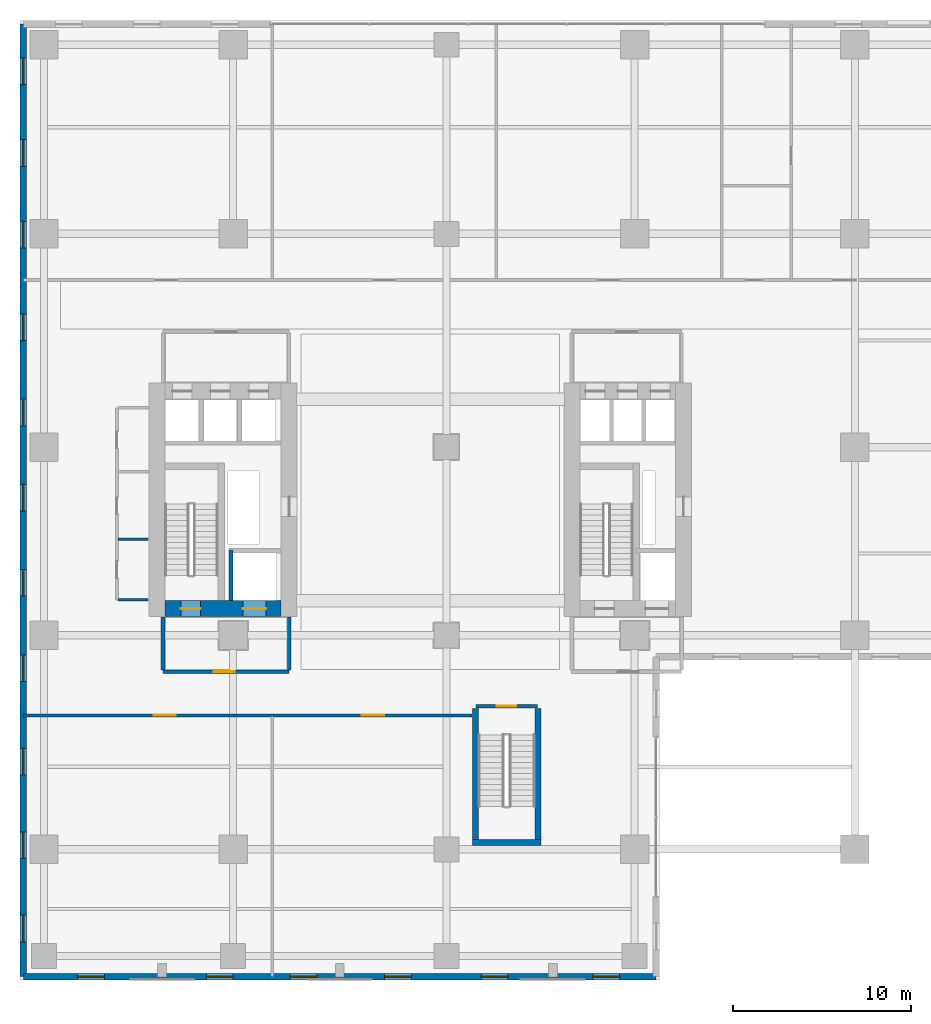
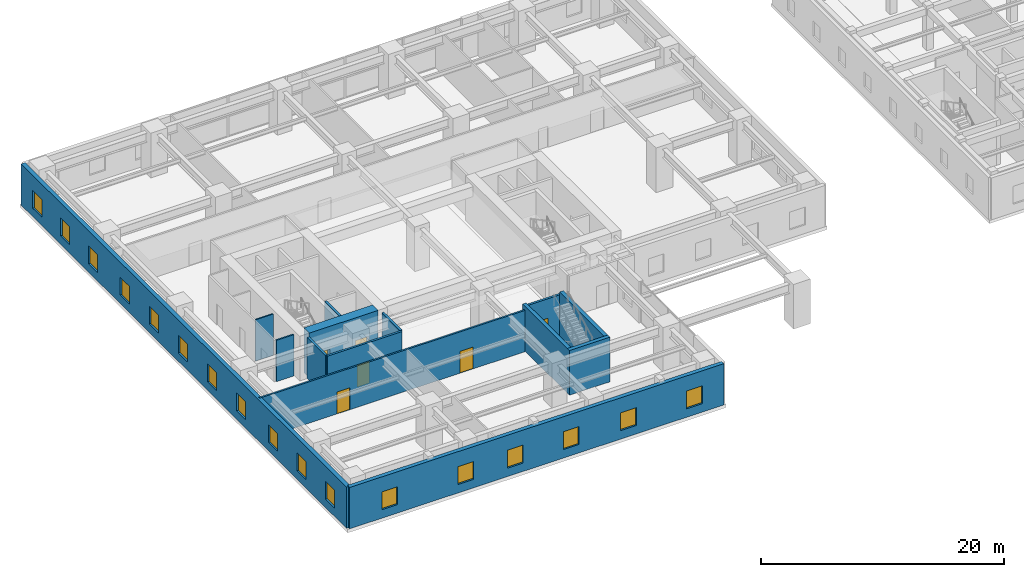
# One storey, part 18 of 28: 17 windows, 14 walls, 6 doors, 23 openings.
"""IFC4 building model written with IfcOpenShell, lengths in metres."""

from ifc_helpers import new_model, si_unit, direction, frame, frame_2d, origin, place, context, subcontext, project, spatial, rectangle, extrude, source, transform, mapped, material, layer, layer_set, type_object, element, fill, save


model = new_model("IFC4")

# Units and contexts
model_context = context("Model", 3, precision=1e-05, world=origin(), true_north=direction((0.0, 1.0)))
body_context = subcontext(model_context, "Body", "Model", "MODEL_VIEW")
ifc_project = project(units=[si_unit("LENGTHUNIT", "METRE"), si_unit("AREAUNIT", "SQUARE_METRE"), si_unit("VOLUMEUNIT", "CUBIC_METRE"), si_unit("PLANEANGLEUNIT", "RADIAN"), si_unit("MASSUNIT", "GRAM", prefix="KILO")], contexts=[model_context])

# Site, building, storey
site_placement = place(None, origin())
site = spatial("IfcSite", under=ifc_project, at=site_placement, CompositionType="ELEMENT")
building_placement = place(site_placement, origin())
building = spatial("IfcBuilding", under=site, at=building_placement, Name="Khoralis Quay Care Tower", CompositionType="ELEMENT")
storey_placement = place(building_placement, frame((0.0, 0.0, 9.0)))
storey = spatial("IfcBuildingStorey", under=building, at=storey_placement, Name="L02", CompositionType="ELEMENT", Elevation=9.0)

# Wall, opening, door
ifc_material_1 = material(Name="Gypsum plasterboard on acoustic metal stud")
ifc_layer_1 = layer(ifc_material_1, 0.199951171875)
ifc_layer_set_1 = layer_set([ifc_layer_1], Name="Gypsum plasterboard on acoustic metal stud")
wall_type_1 = type_object("IfcWallType", Name="WL-COMP-200", PredefinedType="PARTITIONING", material=ifc_layer_set_1)
wall_1_placement = place(storey_placement, frame((8.050048828125, 11.35009765625, 0.0), z_axis=(0.0, 0.0, 1.0), x_axis=(1.0, 0.0, 0.0)))
wall_1 = element("IfcWall", 1, at=wall_1_placement, inside=storey, type_object=wall_type_1, Name="L02 West Firefighting Lobby South Wall", PredefinedType="PARTITIONING", context=body_context, shape_type="SweptSolid", body=[
    extrude(rectangle(XDim=7.099853515625, YDim=0.199951171875, at=frame_2d((3.5498046875, 0.0))), origin(), (0.0, 0.0, 1.0), 4.159912109375),
])
opening_1_placement = place(wall_1_placement, frame((2.846435546875, 0.0, 0.0)))
opening_1 = element("IfcOpeningElement", 2, at=opening_1_placement, cuts=wall_1, Name="Opening FD1", PredefinedType="OPENING", context=body_context, shape_type="SweptSolid", body=[
    extrude(rectangle(XDim=1.199951171875, YDim=2.199951171875, at=frame_2d((0.60009765625, 1.10009765625))), frame((0.0, 0.10986328125, 0.0), z_axis=(0.0, -1.0, 0.0), x_axis=(1.0, 0.0, 0.0)), (0.0, 0.0, 1.0), 0.219970703125),
])
ifc_material_2 = material(Name="Fire-rated painted steel", Category="steel")
door_type_1 = type_object("IfcDoorType", Name="DR-FFL-1200X2200", OperationType="NOTDEFINED", PredefinedType="DOOR", material=ifc_material_2)
shared_shape_1 = source(origin(), body_context, "Body", "SweptSolid", [
    extrude(rectangle(XDim=1.199951171875, YDim=2.199951171875, at=frame_2d((0.60009765625, 1.10009765625))), frame((0.0, 0.02490234375, 0.0), z_axis=(0.0, -1.0, 0.0), x_axis=(1.0, 0.0, 0.0)), (0.0, 0.0, 1.0), 0.050048828125),
])
door_1_placement = place(opening_1_placement, origin())
door_1 = element("IfcDoor", 3, at=door_1_placement, inside=storey, type_object=door_type_1, Name="L02 West Firefighting Lobby Fire Door", OperationType="SINGLE_SWING_RIGHT", OverallHeight=2.199951171875, OverallWidth=1.199951171875, PredefinedType="DOOR", context=body_context, shape_type="MappedRepresentation", body=[
    mapped(shared_shape_1, transform((0.0, 0.0, 0.0), scale=1.0)),
])
fill(opening_1, door_1)

# Walls
for number, where, z_axis, x_axis, name in (
    (4, (8.050048828125, 11.445068359375, 0.0), (0.0, 0.0, 1.0), (0.0, 1.0, 0.0), "L02 West Firefighting Lobby West Wall"),
    (5, (15.14990234375, 11.445068359375, 0.0), (0.0, 0.0, 1.0), (0.0, 1.0, 0.0), "L02 West Firefighting Lobby East Wall"),
):
    element("IfcWall", number, at=place(storey_placement, frame(where, z_axis=z_axis, x_axis=x_axis)), inside=storey, type_object=wall_type_1, Name=name, PredefinedType="PARTITIONING", context=body_context, shape_type="SweptSolid", body=[
        extrude(rectangle(XDim=2.98486328125, YDim=0.199951171875, at=frame_2d((1.492431640625, 0.0))), origin(), (0.0, 0.0, 1.0), 4.159912109375),
    ])

# Wall, opening, door
wall_2_placement = place(storey_placement, frame((25.679931640625, 9.419921875, 0.0), z_axis=(0.0, 0.0, 1.0), x_axis=(1.0, 0.0, 0.0)))
wall_2 = element("IfcWall", 6, at=wall_2_placement, inside=storey, type_object=wall_type_1, Name="L02 Podium Stair ST-P1 North Wall", PredefinedType="PARTITIONING", context=body_context, shape_type="SweptSolid", body=[
    extrude(rectangle(XDim=3.440185546875, YDim=0.199951171875, at=frame_2d((1.72021484375, 0.0))), origin(), (0.0, 0.0, 1.0), 4.159912109375),
])
opening_2_placement = place(wall_2_placement, frame((1.14990234375, 0.0, 0.0)))
opening_2 = element("IfcOpeningElement", 7, at=opening_2_placement, cuts=wall_2, Name="Opening SD1", PredefinedType="OPENING", context=body_context, shape_type="SweptSolid", body=[
    extrude(rectangle(XDim=1.10009765625, YDim=2.199951171875, at=frame_2d((0.550048828125, 1.10009765625))), frame((0.0, 0.10986328125, 0.0), z_axis=(0.0, -1.0, 0.0), x_axis=(1.0, 0.0, 0.0)), (0.0, 0.0, 1.0), 0.219970703125),
])
door_type_2 = type_object("IfcDoorType", Name="DR-STAIR-1100X2200", OperationType="NOTDEFINED", PredefinedType="DOOR", material=ifc_material_2)
shared_shape_2 = source(origin(), body_context, "Body", "SweptSolid", [
    extrude(rectangle(XDim=1.10009765625, YDim=2.199951171875, at=frame_2d((0.550048828125, 1.10009765625))), frame((0.0, 0.02490234375, 0.0), z_axis=(0.0, -1.0, 0.0), x_axis=(1.0, 0.0, 0.0)), (0.0, 0.0, 1.0), 0.050048828125),
])
door_2_placement = place(opening_2_placement, frame((1.10009765625, 0.0, 0.0), z_axis=(0.0, 0.0, 1.0), x_axis=(-1.0, 0.0, 0.0)))
door_2 = element("IfcDoor", 8, at=door_2_placement, inside=storey, type_object=door_type_2, Name="L02 Stair ST-P1 Fire Door", OperationType="SINGLE_SWING_LEFT", OverallHeight=2.199951171875, OverallWidth=1.10009765625, PredefinedType="DOOR", context=body_context, shape_type="MappedRepresentation", body=[
    mapped(shared_shape_2, transform((0.0, 0.0, 0.0), scale=1.0)),
])
fill(opening_2, door_2)

# Wall, openings, doors
ifc_material_3 = material(Name="Concrete C80/95", Category="concrete")
ifc_layer_2 = layer(ifc_material_3, 0.89990234375)
ifc_layer_set_2 = layer_set([ifc_layer_2], Name="Concrete C80/95")
wall_type_2 = type_object("IfcWallType", Name="WL-CORE-900", PredefinedType="SHEAR", material=ifc_layer_set_2)
wall_3_placement = place(storey_placement, frame((8.14990234375, 14.89990234375, 0.0), z_axis=(0.0, 0.0, 1.0), x_axis=(1.0, 0.0, 0.0)))
wall_3 = element("IfcWall", 9, at=wall_3_placement, inside=storey, type_object=wall_type_2, Name="L02 WCORE South Shear Wall", PredefinedType="SHEAR", context=body_context, shape_type="SweptSolid", body=[
    extrude(rectangle(XDim=6.550048828125, YDim=0.89990234375, at=frame_2d((3.27490234375, 0.0))), origin(), (0.0, 0.0, 1.0), 4.5),
])
opening_3_placement = place(wall_3_placement, frame((0.89990234375, 0.0, 0.0)))
opening_3 = element("IfcOpeningElement", 10, at=opening_3_placement, cuts=wall_3, Name="Opening SD1", PredefinedType="OPENING", context=body_context, shape_type="SweptSolid", body=[
    extrude(rectangle(XDim=1.10009765625, YDim=2.199951171875, at=frame_2d((0.550048828125, 1.10009765625))), frame((0.0, 0.4599609375, 0.0), z_axis=(0.0, -1.0, 0.0), x_axis=(1.0, 0.0, 0.0)), (0.0, 0.0, 1.0), 0.919921875),
])
opening_4_placement = place(wall_3_placement, frame((4.39990234375, 0.0, 0.0)))
opening_4 = element("IfcOpeningElement", 11, at=opening_4_placement, cuts=wall_3, Name="Opening LD2", PredefinedType="OPENING", context=body_context, shape_type="SweptSolid", body=[
    extrude(rectangle(XDim=1.300048828125, YDim=2.199951171875, at=frame_2d((0.64990234375, 1.10009765625))), frame((0.0, 0.4599609375, 0.0), z_axis=(0.0, -1.0, 0.0), x_axis=(1.0, 0.0, 0.0)), (0.0, 0.0, 1.0), 0.919921875),
])
door_3_placement = place(opening_3_placement, origin())
door_3 = element("IfcDoor", 12, at=door_3_placement, inside=storey, type_object=door_type_2, Name="L02 Stair ST-T1 Fire Door", OperationType="SINGLE_SWING_RIGHT", OverallHeight=2.199951171875, OverallWidth=1.10009765625, PredefinedType="DOOR", context=body_context, shape_type="MappedRepresentation", body=[
    mapped(shared_shape_2, transform((0.0, 0.0, 0.0), scale=1.0)),
])
fill(opening_3, door_3)
ifc_material_4 = material(Name="Brushed stainless steel", Category="steel")
door_type_3 = type_object("IfcDoorType", Name="DR-LIFT-1300X2200", OperationType="SLIDING_TO_RIGHT", PredefinedType="DOOR", material=ifc_material_4)
shared_shape_3 = source(origin(), body_context, "Body", "SweptSolid", [
    extrude(rectangle(XDim=1.300048828125, YDim=2.199951171875, at=frame_2d((0.64990234375, 1.10009765625))), frame((0.0, 0.02490234375, 0.0), z_axis=(0.0, -1.0, 0.0), x_axis=(1.0, 0.0, 0.0)), (0.0, 0.0, 1.0), 0.050048828125),
])
door_4_placement = place(opening_4_placement, origin())
door_4 = element("IfcDoor", 13, at=door_4_placement, inside=storey, type_object=door_type_3, Name="L02 Firefighting Lift FFL-1 Landing Door", OperationType="SLIDING_TO_RIGHT", OverallHeight=2.199951171875, OverallWidth=1.300048828125, PredefinedType="DOOR", context=body_context, shape_type="MappedRepresentation", body=[
    mapped(shared_shape_3, transform((0.0, 0.0, 0.0), scale=1.0)),
])
fill(opening_4, door_4)

ifc_layer_3 = layer(ifc_material_1, 0.1650390625)
ifc_layer_set_3 = layer_set([ifc_layer_3], Name="Gypsum plasterboard on acoustic metal stud")
wall_type_3 = type_object("IfcWallType", Name="WL-CORR-165", PredefinedType="PARTITIONING", material=ifc_layer_set_3)
wall_4_placement = place(storey_placement, frame((0.18505859375, 8.89990234375, 0.0), z_axis=(0.0, 0.0, 1.0), x_axis=(1.0, 0.0, 0.0)))
wall_4 = element("IfcWall", 14, at=wall_4_placement, inside=storey, type_object=wall_type_3, Name="L02 Podium South Concourse Wall", PredefinedType="PARTITIONING", context=body_context, shape_type="SweptSolid", body=[
    extrude(rectangle(XDim=25.264892578125, YDim=0.1650390625, at=frame_2d((12.63232421875, 0.0))), origin(), (0.0, 0.0, 1.0), 4.159912109375),
])
opening_5_placement = place(wall_4_placement, frame((7.340087890625, 0.0, 0.0)))
opening_5 = element("IfcOpeningElement", 15, at=opening_5_placement, cuts=wall_4, Name="Opening CD1", PredefinedType="OPENING", context=body_context, shape_type="SweptSolid", body=[
    extrude(rectangle(XDim=1.25, YDim=2.199951171875, at=frame_2d((0.625, 1.10009765625))), frame((0.0, 0.092529296875, 0.0), z_axis=(0.0, -1.0, 0.0), x_axis=(1.0, 0.0, 0.0)), (0.0, 0.0, 1.0), 0.18505859375),
])
opening_6_placement = place(wall_4_placement, frame((19.06494140625, 0.0, 0.0)))
opening_6 = element("IfcOpeningElement", 16, at=opening_6_placement, cuts=wall_4, Name="Opening CD1", PredefinedType="OPENING", context=body_context, shape_type="SweptSolid", body=[
    extrude(rectangle(XDim=1.25, YDim=2.199951171875, at=frame_2d((0.625, 1.10009765625))), frame((0.0, 0.092529296875, 0.0), z_axis=(0.0, -1.0, 0.0), x_axis=(1.0, 0.0, 0.0)), (0.0, 0.0, 1.0), 0.18505859375),
])
ifc_material_5 = material(Name="Acoustic hardwood timber", Category="wood")
door_type_4 = type_object("IfcDoorType", Name="DR-CARE-1250X2200", OperationType="NOTDEFINED", PredefinedType="DOOR", material=ifc_material_5)
shared_shape_4 = source(origin(), body_context, "Body", "SweptSolid", [
    extrude(rectangle(XDim=1.25, YDim=2.199951171875, at=frame_2d((0.625, 1.10009765625))), frame((0.0, 0.02490234375, 0.0), z_axis=(0.0, -1.0, 0.0), x_axis=(1.0, 0.0, 0.0)), (0.0, 0.0, 1.0), 0.050048828125),
])
door_5_placement = place(opening_5_placement, frame((1.25, 0.0, 0.0), z_axis=(0.0, 0.0, 1.0), x_axis=(-1.0, 0.0, 0.0)))
door_5 = element("IfcDoor", 17, at=door_5_placement, inside=storey, type_object=door_type_4, Name="L02 Hydrotherapy Rehabilitation Pool Hall Door", OperationType="SINGLE_SWING_LEFT", OverallHeight=2.199951171875, OverallWidth=1.25, PredefinedType="DOOR", context=body_context, shape_type="MappedRepresentation", body=[
    mapped(shared_shape_4, transform((0.0, 0.0, 0.0), scale=1.0)),
])
fill(opening_5, door_5)
door_6_placement = place(opening_6_placement, frame((1.25, 0.0, 0.0), z_axis=(0.0, 0.0, 1.0), x_axis=(-1.0, 0.0, 0.0)))
door_6 = element("IfcDoor", 18, at=door_6_placement, inside=storey, type_object=door_type_4, Name="L02 Cardiopulmonary Therapy Clinic Door", OperationType="SINGLE_SWING_RIGHT", OverallHeight=2.199951171875, OverallWidth=1.25, PredefinedType="DOOR", context=body_context, shape_type="MappedRepresentation", body=[
    mapped(shared_shape_4, transform((0.0, 0.0, 0.0), scale=1.0)),
])
fill(opening_6, door_6)

# Wall, openings, windows
ifc_material_6 = material(Name="Precast concrete C45/55", Category="concrete")
ifc_layer_4 = layer(ifc_material_6, 0.3798828125)
ifc_layer_set_4 = layer_set([ifc_layer_4], Name="Precast concrete C45/55")
wall_type_4 = type_object("IfcWallType", Name="WL-EXT-POD-380", PredefinedType="SOLIDWALL", material=ifc_layer_set_4)
wall_5_placement = place(storey_placement, frame((0.18994140625, -5.81005859375, 0.0), z_axis=(0.0, 0.0, 1.0), x_axis=(1.0, 0.0, 0.0)))
wall_5 = element("IfcWall", 19, at=wall_5_placement, inside=storey, type_object=wall_type_4, Name="L02 External Facade Wall WL-POD-L02-E0", PredefinedType="SOLIDWALL", context=body_context, shape_type="SweptSolid", body=[
    extrude(rectangle(XDim=35.6201171875, YDim=0.3798828125, at=frame_2d((17.81005859375, 0.0))), origin(), (0.0, 0.0, 1.0), 4.159912109375),
])
opening_7_placement = place(wall_5_placement, frame((3.06005859375, 0.0, 0.85009765625)))
opening_7 = element("IfcOpeningElement", 20, at=opening_7_placement, cuts=wall_5, Name="Opening W3", PredefinedType="OPENING", context=body_context, shape_type="SweptSolid", body=[
    extrude(rectangle(XDim=1.5, YDim=1.800048828125, at=frame_2d((0.75, 0.89990234375))), frame((0.0, 0.199951171875, 0.0), z_axis=(0.0, -1.0, 0.0), x_axis=(1.0, 0.0, 0.0)), (0.0, 0.0, 1.0), 0.39990234375),
])
opening_8_placement = place(wall_5_placement, frame((10.304931640625, 0.0, 0.85009765625)))
opening_8 = element("IfcOpeningElement", 21, at=opening_8_placement, cuts=wall_5, Name="Opening W3", PredefinedType="OPENING", context=body_context, shape_type="SweptSolid", body=[
    extrude(rectangle(XDim=1.5, YDim=1.800048828125, at=frame_2d((0.75, 0.89990234375))), frame((0.0, 0.199951171875, 0.0), z_axis=(0.0, -1.0, 0.0), x_axis=(1.0, 0.0, 0.0)), (0.0, 0.0, 1.0), 0.39990234375),
])
opening_9_placement = place(wall_5_placement, frame((15.014892578125, 0.0, 0.85009765625)))
opening_9 = element("IfcOpeningElement", 22, at=opening_9_placement, cuts=wall_5, Name="Opening W3", PredefinedType="OPENING", context=body_context, shape_type="SweptSolid", body=[
    extrude(rectangle(XDim=1.5, YDim=1.800048828125, at=frame_2d((0.75, 0.89990234375))), frame((0.0, 0.199951171875, 0.0), z_axis=(0.0, -1.0, 0.0), x_axis=(1.0, 0.0, 0.0)), (0.0, 0.0, 1.0), 0.39990234375),
])
opening_10_placement = place(wall_5_placement, frame((20.3349609375, 0.0, 0.85009765625)))
opening_10 = element("IfcOpeningElement", 23, at=opening_10_placement, cuts=wall_5, Name="Opening W3", PredefinedType="OPENING", context=body_context, shape_type="SweptSolid", body=[
    extrude(rectangle(XDim=1.5, YDim=1.800048828125, at=frame_2d((0.75, 0.89990234375))), frame((0.0, 0.199951171875, 0.0), z_axis=(0.0, -1.0, 0.0), x_axis=(1.0, 0.0, 0.0)), (0.0, 0.0, 1.0), 0.39990234375),
])
opening_11_placement = place(wall_5_placement, frame((25.784912109375, 0.0, 0.85009765625)))
opening_11 = element("IfcOpeningElement", 24, at=opening_11_placement, cuts=wall_5, Name="Opening W3", PredefinedType="OPENING", context=body_context, shape_type="SweptSolid", body=[
    extrude(rectangle(XDim=1.5, YDim=1.800048828125, at=frame_2d((0.75, 0.89990234375))), frame((0.0, 0.199951171875, 0.0), z_axis=(0.0, -1.0, 0.0), x_axis=(1.0, 0.0, 0.0)), (0.0, 0.0, 1.0), 0.39990234375),
])
opening_12_placement = place(wall_5_placement, frame((32.06005859375, 0.0, 0.85009765625)))
opening_12 = element("IfcOpeningElement", 25, at=opening_12_placement, cuts=wall_5, Name="Opening W3", PredefinedType="OPENING", context=body_context, shape_type="SweptSolid", body=[
    extrude(rectangle(XDim=1.5, YDim=1.800048828125, at=frame_2d((0.75, 0.89990234375))), frame((0.0, 0.199951171875, 0.0), z_axis=(0.0, -1.0, 0.0), x_axis=(1.0, 0.0, 0.0)), (0.0, 0.0, 1.0), 0.39990234375),
])
ifc_material_7 = material(Name="Low-E solar-control double glazing", Category="glass")
window_type = type_object("IfcWindowType", Name="WN-CLIN-1500X1800", PartitioningType="SINGLE_PANEL", PredefinedType="WINDOW", material=ifc_material_7)
shared_shape_5 = source(origin(), body_context, "Body", "SweptSolid", [
    extrude(rectangle(XDim=1.5, YDim=1.800048828125, at=frame_2d((0.75, 0.89990234375))), frame((0.0, 0.030029296875, 0.0), z_axis=(0.0, -1.0, 0.0), x_axis=(1.0, 0.0, 0.0)), (0.0, 0.0, 1.0), 0.06005859375),
])
window_1_placement = place(opening_7_placement, origin())
window_1 = element("IfcWindow", 26, at=window_1_placement, inside=storey, type_object=window_type, Name="WN-POD-L02-E0 Facade Window 01", OverallHeight=1.800048828125, OverallWidth=1.5, PartitioningType="SINGLE_PANEL", PredefinedType="WINDOW", context=body_context, shape_type="MappedRepresentation", body=[
    mapped(shared_shape_5, transform((0.0, 0.0, 0.0), scale=1.0)),
])
fill(opening_7, window_1)
window_2_placement = place(opening_8_placement, origin())
window_2 = element("IfcWindow", 27, at=window_2_placement, inside=storey, type_object=window_type, Name="WN-POD-L02-E0 Facade Window 02", OverallHeight=1.800048828125, OverallWidth=1.5, PartitioningType="SINGLE_PANEL", PredefinedType="WINDOW", context=body_context, shape_type="MappedRepresentation", body=[
    mapped(shared_shape_5, transform((0.0, 0.0, 0.0), scale=1.0)),
])
fill(opening_8, window_2)
window_3_placement = place(opening_9_placement, origin())
window_3 = element("IfcWindow", 28, at=window_3_placement, inside=storey, type_object=window_type, Name="WN-POD-L02-E0 Facade Window 03", OverallHeight=1.800048828125, OverallWidth=1.5, PartitioningType="SINGLE_PANEL", PredefinedType="WINDOW", context=body_context, shape_type="MappedRepresentation", body=[
    mapped(shared_shape_5, transform((0.0, 0.0, 0.0), scale=1.0)),
])
fill(opening_9, window_3)
window_4_placement = place(opening_10_placement, origin())
window_4 = element("IfcWindow", 29, at=window_4_placement, inside=storey, type_object=window_type, Name="WN-POD-L02-E0 Facade Window 04", OverallHeight=1.800048828125, OverallWidth=1.5, PartitioningType="SINGLE_PANEL", PredefinedType="WINDOW", context=body_context, shape_type="MappedRepresentation", body=[
    mapped(shared_shape_5, transform((0.0, 0.0, 0.0), scale=1.0)),
])
fill(opening_10, window_4)
window_5_placement = place(opening_11_placement, origin())
window_5 = element("IfcWindow", 30, at=window_5_placement, inside=storey, type_object=window_type, Name="WN-POD-L02-E0 Facade Window 05", OverallHeight=1.800048828125, OverallWidth=1.5, PartitioningType="SINGLE_PANEL", PredefinedType="WINDOW", context=body_context, shape_type="MappedRepresentation", body=[
    mapped(shared_shape_5, transform((0.0, 0.0, 0.0), scale=1.0)),
])
fill(opening_11, window_5)
window_6_placement = place(opening_12_placement, origin())
window_6 = element("IfcWindow", 31, at=window_6_placement, inside=storey, type_object=window_type, Name="WN-POD-L02-E0 Facade Window 06", OverallHeight=1.800048828125, OverallWidth=1.5, PartitioningType="SINGLE_PANEL", PredefinedType="WINDOW", context=body_context, shape_type="MappedRepresentation", body=[
    mapped(shared_shape_5, transform((0.0, 0.0, 0.0), scale=1.0)),
])
fill(opening_12, window_6)

wall_6_placement = place(storey_placement, frame((0.18994140625, 47.81005859375, 0.0), z_axis=(0.0, 0.0, 1.0), x_axis=(0.0, -1.0, 0.0)))
wall_6 = element("IfcWall", 32, at=wall_6_placement, inside=storey, type_object=wall_type_4, Name="L02 External Facade Wall WL-POD-L02-E5", PredefinedType="SOLIDWALL", context=body_context, shape_type="SweptSolid", body=[
    extrude(rectangle(XDim=53.6201171875, YDim=0.3798828125, at=frame_2d((26.81005859375, 0.0))), origin(), (0.0, 0.0, 1.0), 4.159912109375),
])
opening_13_placement = place(wall_6_placement, frame((1.908203125, 0.0, 0.85009765625)))
opening_13 = element("IfcOpeningElement", 33, at=opening_13_placement, cuts=wall_6, Name="Opening W3", PredefinedType="OPENING", context=body_context, shape_type="SweptSolid", body=[
    extrude(rectangle(XDim=1.5, YDim=1.800048828125, at=frame_2d((0.75, 0.89990234375))), frame((0.0, 0.199951171875, 0.0), z_axis=(0.0, -1.0, 0.0), x_axis=(1.0, 0.0, 0.0)), (0.0, 0.0, 1.0), 0.39990234375),
])
opening_14_placement = place(wall_6_placement, frame((6.5048828125, 0.0, 0.85009765625)))
opening_14 = element("IfcOpeningElement", 34, at=opening_14_placement, cuts=wall_6, Name="Opening W3", PredefinedType="OPENING", context=body_context, shape_type="SweptSolid", body=[
    extrude(rectangle(XDim=1.5, YDim=1.800048828125, at=frame_2d((0.75, 0.89990234375))), frame((0.0, 0.199951171875, 0.0), z_axis=(0.0, -1.0, 0.0), x_axis=(1.0, 0.0, 0.0)), (0.0, 0.0, 1.0), 0.39990234375),
])
opening_15_placement = place(wall_6_placement, frame((11.101806640625, 0.0, 0.85009765625)))
opening_15 = element("IfcOpeningElement", 35, at=opening_15_placement, cuts=wall_6, Name="Opening W3", PredefinedType="OPENING", context=body_context, shape_type="SweptSolid", body=[
    extrude(rectangle(XDim=1.5, YDim=1.800048828125, at=frame_2d((0.75, 0.89990234375))), frame((0.0, 0.199951171875, 0.0), z_axis=(0.0, -1.0, 0.0), x_axis=(1.0, 0.0, 0.0)), (0.0, 0.0, 1.0), 0.39990234375),
])
opening_16_placement = place(wall_6_placement, frame((16.318115234375, 0.0, 0.85009765625)))
opening_16 = element("IfcOpeningElement", 36, at=opening_16_placement, cuts=wall_6, Name="Opening W3", PredefinedType="OPENING", context=body_context, shape_type="SweptSolid", body=[
    extrude(rectangle(XDim=1.5, YDim=1.800048828125, at=frame_2d((0.75, 0.89990234375))), frame((0.0, 0.199951171875, 0.0), z_axis=(0.0, -1.0, 0.0), x_axis=(1.0, 0.0, 0.0)), (0.0, 0.0, 1.0), 0.39990234375),
])
opening_17_placement = place(wall_6_placement, frame((21.114013671875, 0.0, 0.85009765625)))
opening_17 = element("IfcOpeningElement", 37, at=opening_17_placement, cuts=wall_6, Name="Opening W3", PredefinedType="OPENING", context=body_context, shape_type="SweptSolid", body=[
    extrude(rectangle(XDim=1.5, YDim=1.800048828125, at=frame_2d((0.75, 0.89990234375))), frame((0.0, 0.199951171875, 0.0), z_axis=(0.0, -1.0, 0.0), x_axis=(1.0, 0.0, 0.0)), (0.0, 0.0, 1.0), 0.39990234375),
])
opening_18_placement = place(wall_6_placement, frame((25.909912109375, 0.0, 0.85009765625)))
opening_18 = element("IfcOpeningElement", 38, at=opening_18_placement, cuts=wall_6, Name="Opening W3", PredefinedType="OPENING", context=body_context, shape_type="SweptSolid", body=[
    extrude(rectangle(XDim=1.5, YDim=1.800048828125, at=frame_2d((0.75, 0.89990234375))), frame((0.0, 0.199951171875, 0.0), z_axis=(0.0, -1.0, 0.0), x_axis=(1.0, 0.0, 0.0)), (0.0, 0.0, 1.0), 0.39990234375),
])
opening_19_placement = place(wall_6_placement, frame((30.7060546875, 0.0, 0.85009765625)))
opening_19 = element("IfcOpeningElement", 39, at=opening_19_placement, cuts=wall_6, Name="Opening W3", PredefinedType="OPENING", context=body_context, shape_type="SweptSolid", body=[
    extrude(rectangle(XDim=1.5, YDim=1.800048828125, at=frame_2d((0.75, 0.89990234375))), frame((0.0, 0.199951171875, 0.0), z_axis=(0.0, -1.0, 0.0), x_axis=(1.0, 0.0, 0.0)), (0.0, 0.0, 1.0), 0.39990234375),
])
opening_20_placement = place(wall_6_placement, frame((35.501953125, 0.0, 0.85009765625)))
opening_20 = element("IfcOpeningElement", 40, at=opening_20_placement, cuts=wall_6, Name="Opening W3", PredefinedType="OPENING", context=body_context, shape_type="SweptSolid", body=[
    extrude(rectangle(XDim=1.5, YDim=1.800048828125, at=frame_2d((0.75, 0.89990234375))), frame((0.0, 0.199951171875, 0.0), z_axis=(0.0, -1.0, 0.0), x_axis=(1.0, 0.0, 0.0)), (0.0, 0.0, 1.0), 0.39990234375),
])
opening_21_placement = place(wall_6_placement, frame((40.768310546875, 0.0, 0.85009765625)))
opening_21 = element("IfcOpeningElement", 41, at=opening_21_placement, cuts=wall_6, Name="Opening W3", PredefinedType="OPENING", context=body_context, shape_type="SweptSolid", body=[
    extrude(rectangle(XDim=1.5, YDim=1.800048828125, at=frame_2d((0.75, 0.89990234375))), frame((0.0, 0.199951171875, 0.0), z_axis=(0.0, -1.0, 0.0), x_axis=(1.0, 0.0, 0.0)), (0.0, 0.0, 1.0), 0.39990234375),
])
opening_22_placement = place(wall_6_placement, frame((45.465087890625, 0.0, 0.85009765625)))
opening_22 = element("IfcOpeningElement", 42, at=opening_22_placement, cuts=wall_6, Name="Opening W3", PredefinedType="OPENING", context=body_context, shape_type="SweptSolid", body=[
    extrude(rectangle(XDim=1.5, YDim=1.800048828125, at=frame_2d((0.75, 0.89990234375))), frame((0.0, 0.199951171875, 0.0), z_axis=(0.0, -1.0, 0.0), x_axis=(1.0, 0.0, 0.0)), (0.0, 0.0, 1.0), 0.39990234375),
])
opening_23_placement = place(wall_6_placement, frame((50.16162109375, 0.0, 0.85009765625)))
opening_23 = element("IfcOpeningElement", 43, at=opening_23_placement, cuts=wall_6, Name="Opening W3", PredefinedType="OPENING", context=body_context, shape_type="SweptSolid", body=[
    extrude(rectangle(XDim=1.5, YDim=1.800048828125, at=frame_2d((0.75, 0.89990234375))), frame((0.0, 0.199951171875, 0.0), z_axis=(0.0, -1.0, 0.0), x_axis=(1.0, 0.0, 0.0)), (0.0, 0.0, 1.0), 0.39990234375),
])
window_7_placement = place(opening_13_placement, origin())
window_7 = element("IfcWindow", 44, at=window_7_placement, inside=storey, type_object=window_type, Name="WN-POD-L02-E5 Facade Window 01", OverallHeight=1.800048828125, OverallWidth=1.5, PartitioningType="SINGLE_PANEL", PredefinedType="WINDOW", context=body_context, shape_type="MappedRepresentation", body=[
    mapped(shared_shape_5, transform((0.0, 0.0, 0.0), scale=1.0)),
])
fill(opening_13, window_7)
window_8_placement = place(opening_14_placement, origin())
window_8 = element("IfcWindow", 45, at=window_8_placement, inside=storey, type_object=window_type, Name="WN-POD-L02-E5 Facade Window 02", OverallHeight=1.800048828125, OverallWidth=1.5, PartitioningType="SINGLE_PANEL", PredefinedType="WINDOW", context=body_context, shape_type="MappedRepresentation", body=[
    mapped(shared_shape_5, transform((0.0, 0.0, 0.0), scale=1.0)),
])
fill(opening_14, window_8)
window_9_placement = place(opening_15_placement, origin())
window_9 = element("IfcWindow", 46, at=window_9_placement, inside=storey, type_object=window_type, Name="WN-POD-L02-E5 Facade Window 03", OverallHeight=1.800048828125, OverallWidth=1.5, PartitioningType="SINGLE_PANEL", PredefinedType="WINDOW", context=body_context, shape_type="MappedRepresentation", body=[
    mapped(shared_shape_5, transform((0.0, 0.0, 0.0), scale=1.0)),
])
fill(opening_15, window_9)
window_10_placement = place(opening_16_placement, origin())
window_10 = element("IfcWindow", 47, at=window_10_placement, inside=storey, type_object=window_type, Name="WN-POD-L02-E5 Facade Window 04", OverallHeight=1.800048828125, OverallWidth=1.5, PartitioningType="SINGLE_PANEL", PredefinedType="WINDOW", context=body_context, shape_type="MappedRepresentation", body=[
    mapped(shared_shape_5, transform((0.0, 0.0, 0.0), scale=1.0)),
])
fill(opening_16, window_10)
window_11_placement = place(opening_17_placement, origin())
window_11 = element("IfcWindow", 48, at=window_11_placement, inside=storey, type_object=window_type, Name="WN-POD-L02-E5 Facade Window 05", OverallHeight=1.800048828125, OverallWidth=1.5, PartitioningType="SINGLE_PANEL", PredefinedType="WINDOW", context=body_context, shape_type="MappedRepresentation", body=[
    mapped(shared_shape_5, transform((0.0, 0.0, 0.0), scale=1.0)),
])
fill(opening_17, window_11)
window_12_placement = place(opening_18_placement, origin())
window_12 = element("IfcWindow", 49, at=window_12_placement, inside=storey, type_object=window_type, Name="WN-POD-L02-E5 Facade Window 06", OverallHeight=1.800048828125, OverallWidth=1.5, PartitioningType="SINGLE_PANEL", PredefinedType="WINDOW", context=body_context, shape_type="MappedRepresentation", body=[
    mapped(shared_shape_5, transform((0.0, 0.0, 0.0), scale=1.0)),
])
fill(opening_18, window_12)
window_13_placement = place(opening_19_placement, origin())
window_13 = element("IfcWindow", 50, at=window_13_placement, inside=storey, type_object=window_type, Name="WN-POD-L02-E5 Facade Window 07", OverallHeight=1.800048828125, OverallWidth=1.5, PartitioningType="SINGLE_PANEL", PredefinedType="WINDOW", context=body_context, shape_type="MappedRepresentation", body=[
    mapped(shared_shape_5, transform((0.0, 0.0, 0.0), scale=1.0)),
])
fill(opening_19, window_13)
window_14_placement = place(opening_20_placement, origin())
window_14 = element("IfcWindow", 51, at=window_14_placement, inside=storey, type_object=window_type, Name="WN-POD-L02-E5 Facade Window 08", OverallHeight=1.800048828125, OverallWidth=1.5, PartitioningType="SINGLE_PANEL", PredefinedType="WINDOW", context=body_context, shape_type="MappedRepresentation", body=[
    mapped(shared_shape_5, transform((0.0, 0.0, 0.0), scale=1.0)),
])
fill(opening_20, window_14)
window_15_placement = place(opening_21_placement, origin())
window_15 = element("IfcWindow", 52, at=window_15_placement, inside=storey, type_object=window_type, Name="WN-POD-L02-E5 Facade Window 09", OverallHeight=1.800048828125, OverallWidth=1.5, PartitioningType="SINGLE_PANEL", PredefinedType="WINDOW", context=body_context, shape_type="MappedRepresentation", body=[
    mapped(shared_shape_5, transform((0.0, 0.0, 0.0), scale=1.0)),
])
fill(opening_21, window_15)
window_16_placement = place(opening_22_placement, origin())
window_16 = element("IfcWindow", 53, at=window_16_placement, inside=storey, type_object=window_type, Name="WN-POD-L02-E5 Facade Window 10", OverallHeight=1.800048828125, OverallWidth=1.5, PartitioningType="SINGLE_PANEL", PredefinedType="WINDOW", context=body_context, shape_type="MappedRepresentation", body=[
    mapped(shared_shape_5, transform((0.0, 0.0, 0.0), scale=1.0)),
])
fill(opening_22, window_16)
window_17_placement = place(opening_23_placement, origin())
window_17 = element("IfcWindow", 54, at=window_17_placement, inside=storey, type_object=window_type, Name="WN-POD-L02-E5 Facade Window 11", OverallHeight=1.800048828125, OverallWidth=1.5, PartitioningType="SINGLE_PANEL", PredefinedType="WINDOW", context=body_context, shape_type="MappedRepresentation", body=[
    mapped(shared_shape_5, transform((0.0, 0.0, 0.0), scale=1.0)),
])
fill(opening_23, window_17)

# Walls
ifc_material_8 = material(Name="Moisture-resistant gypsum and ceramic tile")
ifc_layer_5 = layer(ifc_material_8, 0.280029296875)
ifc_layer_set_5 = layer_set([ifc_layer_5], Name="Moisture-resistant gypsum and ceramic tile")
wall_type_5 = type_object("IfcWallType", Name="WL-PLUMB-280", PredefinedType="PLUMBINGWALL", material=ifc_layer_set_5)
wall_7_placement = place(storey_placement, frame((5.527587890625, 18.800048828125, 0.0), z_axis=(0.0, 0.0, 1.0), x_axis=(1.0, 0.0, 0.0)))
element("IfcWall", 55, at=wall_7_placement, inside=storey, type_object=wall_type_5, Name="L02 West Flank Divider 1", PredefinedType="PLUMBINGWALL", context=body_context, shape_type="SweptSolid", body=[
    extrude(rectangle(XDim=1.682373046875, YDim=0.139892578125, at=frame_2d((0.84130859375, 0.0))), origin(), (0.0, 0.0, 1.0), 4.159912109375),
])
ifc_material_9 = material(Name="Concrete C40/50", Category="concrete")
ifc_layer_6 = layer(ifc_material_9, 0.35009765625)
ifc_layer_set_6 = layer_set([ifc_layer_6], Name="Concrete C40/50")
wall_type_6 = type_object("IfcWallType", Name="WL-SC-CORE-350", PredefinedType="SHEAR", material=ifc_layer_set_6)
for number, where, z_axis, x_axis, name in (
    (56, (25.64501953125, 1.570068359375, 0.0), (0.0, 0.0, 1.0), (0.0, 1.0, 0.0), "L02 Podium Stair ST-P1 West Shear Wall"),
    (57, (29.155029296875, 1.570068359375, 0.0), (0.0, 0.0, 1.0), (0.0, 1.0, 0.0), "L02 Podium Stair ST-P1 East Shear Wall"),
):
    element("IfcWall", number, at=place(storey_placement, frame(where, z_axis=z_axis, x_axis=x_axis)), inside=storey, type_object=wall_type_6, Name=name, PredefinedType="SHEAR", context=body_context, shape_type="SweptSolid", body=[
        extrude(rectangle(XDim=7.7099609375, YDim=0.35009765625, at=frame_2d((3.85498046875, 0.0))), origin(), (0.0, 0.0, 1.0), 4.5),
    ])
wall_8_placement = place(storey_placement, frame((25.469970703125, 1.7451171875, 0.0), z_axis=(0.0, 0.0, 1.0), x_axis=(1.0, 0.0, 0.0)))
element("IfcWall", 58, at=wall_8_placement, inside=storey, type_object=wall_type_6, Name="L02 Podium Stair ST-P1 South Shear Wall", PredefinedType="SHEAR", context=body_context, shape_type="SweptSolid", body=[
    extrude(rectangle(XDim=3.860107421875, YDim=0.35009765625, at=frame_2d((1.93017578125, 0.0))), origin(), (0.0, 0.0, 1.0), 4.5),
])
ifc_layer_7 = layer(ifc_material_1, 0.239990234375)
ifc_layer_set_7 = layer_set([ifc_layer_7], Name="Gypsum plasterboard on acoustic metal stud")
wall_type_7 = type_object("IfcWallType", Name="WL-SHAFT-240", PredefinedType="PARTITIONING", material=ifc_layer_set_7)
wall_9_placement = place(storey_placement, frame((11.8798828125, 15.35009765625, 0.0), z_axis=(0.0, 0.0, 1.0), x_axis=(0.0, 1.0, 0.0)))
element("IfcWall", 59, at=wall_9_placement, inside=storey, type_object=wall_type_7, Name="L02 FFL-1 Shaft Wall West", PredefinedType="PARTITIONING", context=body_context, shape_type="SweptSolid", body=[
    extrude(rectangle(XDim=2.849853515625, YDim=0.239990234375, at=frame_2d((1.4248046875, 0.0))), origin(), (0.0, 0.0, 1.0), 4.159912109375),
])
ifc_layer_8 = layer(ifc_material_1, 0.139892578125)
ifc_layer_set_8 = layer_set([ifc_layer_8], Name="Gypsum plasterboard on acoustic metal stud")
wall_type_8 = type_object("IfcWallType", Name="WL-UNIT-140", PredefinedType="PARTITIONING", material=ifc_layer_set_8)
wall_10_placement = place(storey_placement, frame((5.527587890625, 15.39990234375, 0.0), z_axis=(0.0, 0.0, 1.0), x_axis=(1.0, 0.0, 0.0)))
element("IfcWall", 60, at=wall_10_placement, inside=storey, type_object=wall_type_8, Name="L02 West Flank South Cap", PredefinedType="PARTITIONING", context=body_context, shape_type="SweptSolid", body=[
    extrude(rectangle(XDim=1.682373046875, YDim=0.139892578125, at=frame_2d((0.84130859375, 0.0))), origin(), (0.0, 0.0, 1.0), 4.159912109375),
])

save(model, "model.ifc")
